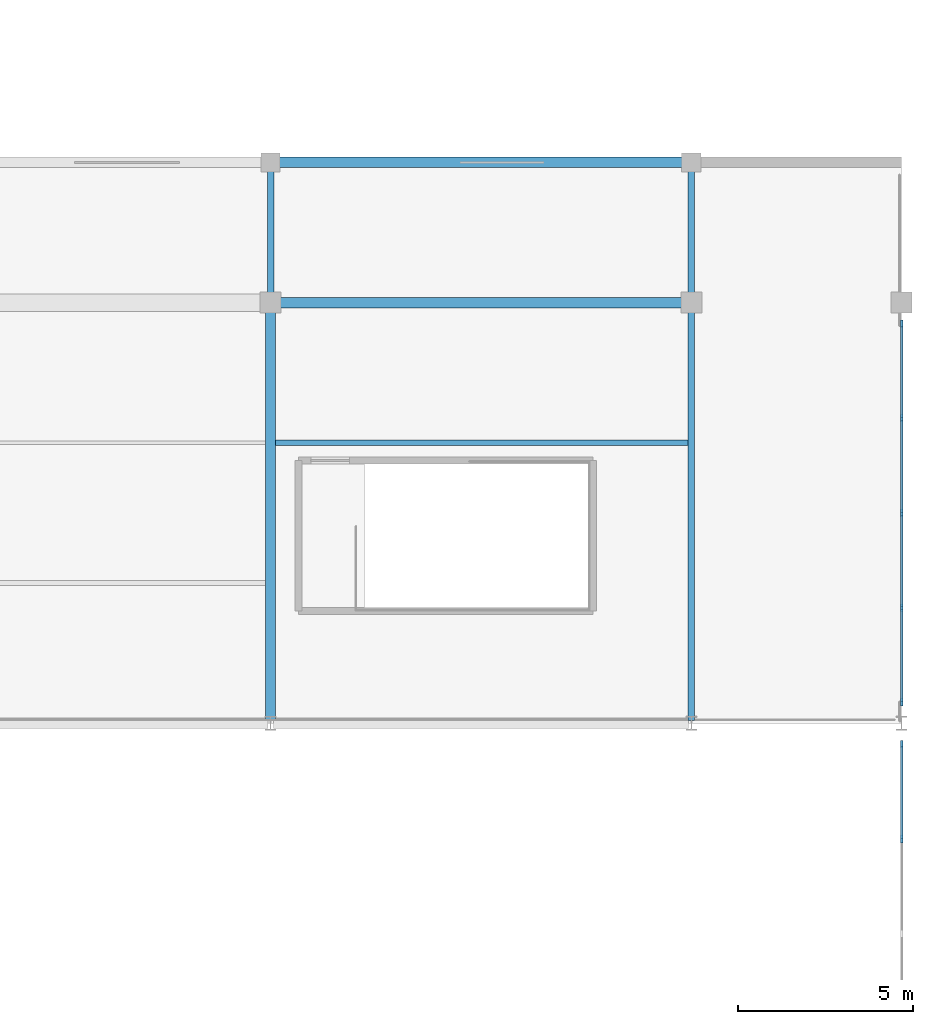
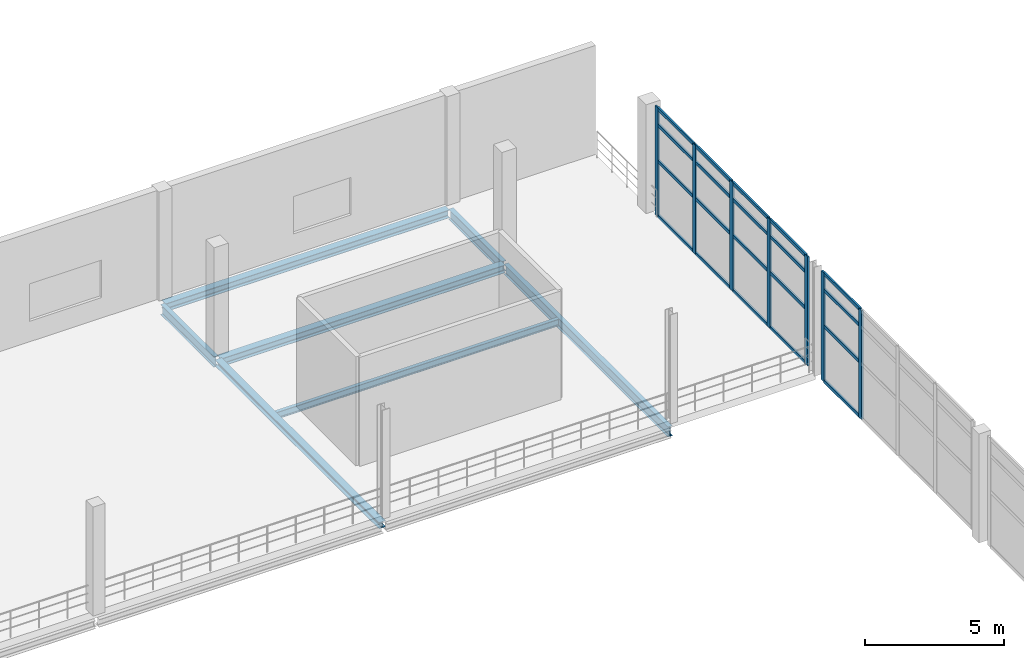
# One storey, part 25 of 52: 27 members, 7 beams, 2 elements without a shape of their own.
"""IFC4 building model written with IfcOpenShell, lengths in metres."""

from ifc_helpers import new_model, si_unit, direction, frame, origin, origin_2d, place, context, subcontext, project, spatial, rectangle, i_section, extrude, material, material_profile, profile_set, type_object, element, aggregate, save


model = new_model("IFC4")

# Units and contexts
model_context = context("Model", 3, precision=1e-05, world=origin(), true_north=direction((0.0, 1.0)))
body_context = subcontext(model_context, "Body", "Model", "MODEL_VIEW")
ifc_project = project(units=[si_unit("LENGTHUNIT", "METRE"), si_unit("AREAUNIT", "SQUARE_METRE"), si_unit("VOLUMEUNIT", "CUBIC_METRE"), si_unit("PLANEANGLEUNIT", "RADIAN"), si_unit("MASSUNIT", "GRAM", prefix="KILO"), si_unit("THERMODYNAMICTEMPERATUREUNIT", "KELVIN"), si_unit("POWERUNIT", "WATT")], contexts=[model_context])

# Site, building, storey
site_placement = place(None, origin())
site = spatial("IfcSite", under=ifc_project, at=site_placement, CompositionType="ELEMENT")
building_placement = place(site_placement, origin())
building = spatial("IfcBuilding", under=site, at=building_placement, Name="Solmara Park Aquatics Centre", CompositionType="ELEMENT")
storey_placement = place(building_placement, frame((0.0, 0.0, 9.60009765625)))
storey = spatial("IfcBuildingStorey", under=building, at=storey_placement, Name="L02", CompositionType="ELEMENT", Elevation=9.60009765625)

# Curtain wall, members
ifc_material_1 = material(Name="Anodised Aluminium Curtain Wall Framing", Category="aluminium")
curtain_wall_type = type_object("IfcCurtainWallType", Name="ARC-CW-SYS03", PredefinedType="USERDEFINED", material=ifc_material_1)
curtain_wall_1_placement = place(storey_placement, origin())
curtain_wall_1 = element("IfcCurtainWall", 1, at=curtain_wall_1_placement, inside=storey, type_object=curtain_wall_type, Name="Curtain Wall CW-079", ObjectType="CURTAIN WALL", PredefinedType="USERDEFINED")
ifc_material_2 = material(Name="Anodised Aluminium Alloy 6063-T6", Category="aluminium")
ifc_material_profile_1 = material_profile(ifc_material_2, rectangle(XDim=0.074951171875, YDim=0.219970703125, at=origin_2d()), Name="ALU MULLION 75x220")
ifc_profile_set_1 = profile_set([ifc_material_profile_1], Name="Anodised Aluminium Alloy 6063-T6")
member_type_1 = type_object("IfcMemberType", Name="ARC-CWM-75x220", PredefinedType="MULLION", material=ifc_profile_set_1)
member_1_placement = place(storey_placement, frame((162.0, 33.300048828125, 0.0), z_axis=(0.0, 0.0, 1.0), x_axis=(1.0, 0.0, 0.0)))
member_1 = element("IfcMember", 2, at=member_1_placement, type_object=member_type_1, Name="CW-079 mullion 4", PredefinedType="MULLION", context=body_context, shape_type="SweptSolid", body=[
    extrude(rectangle(XDim=0.074951171875, YDim=0.219970703125, at=origin_2d()), origin(), (0.0, 0.0, 1.0), 4.7998046875),
])
member_2_placement = place(storey_placement, frame((162.0, 36.0, 0.0), z_axis=(0.0, 0.0, 1.0), x_axis=(1.0, 0.0, 0.0)))
member_2 = element("IfcMember", 3, at=member_2_placement, type_object=member_type_1, Name="CW-079 mullion 5", PredefinedType="MULLION", context=body_context, shape_type="SweptSolid", body=[
    extrude(rectangle(XDim=0.074951171875, YDim=0.219970703125, at=origin_2d()), origin(), (0.0, 0.0, 1.0), 4.7998046875),
])

curtain_wall_2_placement = place(storey_placement, origin())
curtain_wall_2 = element("IfcCurtainWall", 4, at=curtain_wall_2_placement, inside=storey, type_object=curtain_wall_type, Name="Curtain Wall CW-082", ObjectType="CURTAIN WALL", PredefinedType="USERDEFINED")
member_3_placement = place(storey_placement, frame((162.0, 37.199951171875, 0.0), z_axis=(0.0, 0.0, 1.0), x_axis=(1.0, 0.0, 0.0)))
member_3 = element("IfcMember", 5, at=member_3_placement, type_object=member_type_1, Name="CW-082 mullion 1", PredefinedType="MULLION", context=body_context, shape_type="SweptSolid", body=[
    extrude(rectangle(XDim=0.074951171875, YDim=0.219970703125, at=origin_2d()), origin(), (0.0, 0.0, 1.0), 4.7998046875),
])
member_4_placement = place(storey_placement, frame((162.0, 39.89990234375, 0.0), z_axis=(0.0, 0.0, 1.0), x_axis=(1.0, 0.0, 0.0)))
member_4 = element("IfcMember", 6, at=member_4_placement, type_object=member_type_1, Name="CW-082 mullion 2", PredefinedType="MULLION", context=body_context, shape_type="SweptSolid", body=[
    extrude(rectangle(XDim=0.074951171875, YDim=0.219970703125, at=origin_2d()), origin(), (0.0, 0.0, 1.0), 4.7998046875),
])
member_5_placement = place(storey_placement, frame((162.0, 42.60009765625, 0.0), z_axis=(0.0, 0.0, 1.0), x_axis=(1.0, 0.0, 0.0)))
member_5 = element("IfcMember", 7, at=member_5_placement, type_object=member_type_1, Name="CW-082 mullion 3", PredefinedType="MULLION", context=body_context, shape_type="SweptSolid", body=[
    extrude(rectangle(XDim=0.074951171875, YDim=0.219970703125, at=origin_2d()), origin(), (0.0, 0.0, 1.0), 4.7998046875),
])
member_6_placement = place(storey_placement, frame((162.0, 45.300048828125, 0.0), z_axis=(0.0, 0.0, 1.0), x_axis=(1.0, 0.0, 0.0)))
member_6 = element("IfcMember", 8, at=member_6_placement, type_object=member_type_1, Name="CW-082 mullion 4", PredefinedType="MULLION", context=body_context, shape_type="SweptSolid", body=[
    extrude(rectangle(XDim=0.074951171875, YDim=0.219970703125, at=origin_2d()), origin(), (0.0, 0.0, 1.0), 4.7998046875),
])
member_7_placement = place(storey_placement, frame((162.0, 48.0, 0.0), z_axis=(0.0, 0.0, 1.0), x_axis=(1.0, 0.0, 0.0)))
member_7 = element("IfcMember", 9, at=member_7_placement, type_object=member_type_1, Name="CW-082 mullion 5", PredefinedType="MULLION", context=body_context, shape_type="SweptSolid", body=[
    extrude(rectangle(XDim=0.074951171875, YDim=0.219970703125, at=origin_2d()), origin(), (0.0, 0.0, 1.0), 4.7998046875),
])

# Member
ifc_material_profile_2 = material_profile(ifc_material_2, rectangle(XDim=0.074951171875, YDim=0.14990234375, at=origin_2d()), Name="ALU TRANSOM 75x150")
ifc_profile_set_2 = profile_set([ifc_material_profile_2], Name="Anodised Aluminium Alloy 6063-T6")
member_type_2 = type_object("IfcMemberType", Name="ARC-CWT-75x150", PredefinedType="USERDEFINED", material=ifc_profile_set_2)
member_8_placement = place(storey_placement, frame((162.0, 33.320068359375, 0.039794921875), z_axis=(0.0, 1.0, 0.0), x_axis=(-1.0, 0.0, 0.0)))
member_8 = element("IfcMember", 10, at=member_8_placement, type_object=member_type_2, Name="CW-079 transom 13", ObjectType="TRANSOM", PredefinedType="USERDEFINED", context=body_context, shape_type="SweptSolid", body=[
    extrude(rectangle(XDim=0.074951171875, YDim=0.14990234375, at=origin_2d()), origin(), (0.0, 0.0, 1.0), 2.619873046875),
])

member_9_placement = place(storey_placement, frame((162.0, 33.320068359375, 2.449951171875), z_axis=(0.0, 1.0, 0.0), x_axis=(-1.0, 0.0, 0.0)))
member_9 = element("IfcMember", 11, at=member_9_placement, type_object=member_type_2, Name="CW-079 transom 14", ObjectType="TRANSOM", PredefinedType="USERDEFINED", context=body_context, shape_type="SweptSolid", body=[
    extrude(rectangle(XDim=0.074951171875, YDim=0.14990234375, at=origin_2d()), origin(), (0.0, 0.0, 1.0), 2.619873046875),
])

member_10_placement = place(storey_placement, frame((162.0, 33.320068359375, 4.0498046875), z_axis=(0.0, 1.0, 0.0), x_axis=(-1.0, 0.0, 0.0)))
member_10 = element("IfcMember", 12, at=member_10_placement, type_object=member_type_2, Name="CW-079 transom 15", ObjectType="TRANSOM", PredefinedType="USERDEFINED", context=body_context, shape_type="SweptSolid", body=[
    extrude(rectangle(XDim=0.074951171875, YDim=0.14990234375, at=origin_2d()), origin(), (0.0, 0.0, 1.0), 2.619873046875),
])

member_11_placement = place(storey_placement, frame((162.0, 33.320068359375, 4.760009765625), z_axis=(0.0, 1.0, 0.0), x_axis=(-1.0, 0.0, 0.0)))
member_11 = element("IfcMember", 13, at=member_11_placement, type_object=member_type_2, Name="CW-079 transom 16", ObjectType="TRANSOM", PredefinedType="USERDEFINED", context=body_context, shape_type="SweptSolid", body=[
    extrude(rectangle(XDim=0.074951171875, YDim=0.14990234375, at=origin_2d()), origin(), (0.0, 0.0, 1.0), 2.619873046875),
])

aggregate(curtain_wall_1, [member_1, member_2, member_8, member_9, member_10, member_11])

member_12_placement = place(storey_placement, frame((162.0, 37.219970703125, 0.039794921875), z_axis=(0.0, 1.0, 0.0), x_axis=(-1.0, 0.0, 0.0)))
member_12 = element("IfcMember", 14, at=member_12_placement, type_object=member_type_2, Name="CW-082 transom 1", ObjectType="TRANSOM", PredefinedType="USERDEFINED", context=body_context, shape_type="SweptSolid", body=[
    extrude(rectangle(XDim=0.074951171875, YDim=0.14990234375, at=origin_2d()), origin(), (0.0, 0.0, 1.0), 2.6201171875),
])

member_13_placement = place(storey_placement, frame((162.0, 37.219970703125, 2.449951171875), z_axis=(0.0, 1.0, 0.0), x_axis=(-1.0, 0.0, 0.0)))
member_13 = element("IfcMember", 15, at=member_13_placement, type_object=member_type_2, Name="CW-082 transom 2", ObjectType="TRANSOM", PredefinedType="USERDEFINED", context=body_context, shape_type="SweptSolid", body=[
    extrude(rectangle(XDim=0.074951171875, YDim=0.14990234375, at=origin_2d()), origin(), (0.0, 0.0, 1.0), 2.6201171875),
])

member_14_placement = place(storey_placement, frame((162.0, 37.219970703125, 4.0498046875), z_axis=(0.0, 1.0, 0.0), x_axis=(-1.0, 0.0, 0.0)))
member_14 = element("IfcMember", 16, at=member_14_placement, type_object=member_type_2, Name="CW-082 transom 3", ObjectType="TRANSOM", PredefinedType="USERDEFINED", context=body_context, shape_type="SweptSolid", body=[
    extrude(rectangle(XDim=0.074951171875, YDim=0.14990234375, at=origin_2d()), origin(), (0.0, 0.0, 1.0), 2.6201171875),
])

member_15_placement = place(storey_placement, frame((162.0, 37.219970703125, 4.760009765625), z_axis=(0.0, 1.0, 0.0), x_axis=(-1.0, 0.0, 0.0)))
member_15 = element("IfcMember", 17, at=member_15_placement, type_object=member_type_2, Name="CW-082 transom 4", ObjectType="TRANSOM", PredefinedType="USERDEFINED", context=body_context, shape_type="SweptSolid", body=[
    extrude(rectangle(XDim=0.074951171875, YDim=0.14990234375, at=origin_2d()), origin(), (0.0, 0.0, 1.0), 2.6201171875),
])

member_16_placement = place(storey_placement, frame((162.0, 39.919921875, 0.039794921875), z_axis=(0.0, 1.0, 0.0), x_axis=(-1.0, 0.0, 0.0)))
member_16 = element("IfcMember", 18, at=member_16_placement, type_object=member_type_2, Name="CW-082 transom 5", ObjectType="TRANSOM", PredefinedType="USERDEFINED", context=body_context, shape_type="SweptSolid", body=[
    extrude(rectangle(XDim=0.074951171875, YDim=0.14990234375, at=origin_2d()), origin(), (0.0, 0.0, 1.0), 2.6201171875),
])

member_17_placement = place(storey_placement, frame((162.0, 39.919921875, 2.449951171875), z_axis=(0.0, 1.0, 0.0), x_axis=(-1.0, 0.0, 0.0)))
member_17 = element("IfcMember", 19, at=member_17_placement, type_object=member_type_2, Name="CW-082 transom 6", ObjectType="TRANSOM", PredefinedType="USERDEFINED", context=body_context, shape_type="SweptSolid", body=[
    extrude(rectangle(XDim=0.074951171875, YDim=0.14990234375, at=origin_2d()), origin(), (0.0, 0.0, 1.0), 2.6201171875),
])

member_18_placement = place(storey_placement, frame((162.0, 39.919921875, 4.0498046875), z_axis=(0.0, 1.0, 0.0), x_axis=(-1.0, 0.0, 0.0)))
member_18 = element("IfcMember", 20, at=member_18_placement, type_object=member_type_2, Name="CW-082 transom 7", ObjectType="TRANSOM", PredefinedType="USERDEFINED", context=body_context, shape_type="SweptSolid", body=[
    extrude(rectangle(XDim=0.074951171875, YDim=0.14990234375, at=origin_2d()), origin(), (0.0, 0.0, 1.0), 2.6201171875),
])

member_19_placement = place(storey_placement, frame((162.0, 39.919921875, 4.760009765625), z_axis=(0.0, 1.0, 0.0), x_axis=(-1.0, 0.0, 0.0)))
member_19 = element("IfcMember", 21, at=member_19_placement, type_object=member_type_2, Name="CW-082 transom 8", ObjectType="TRANSOM", PredefinedType="USERDEFINED", context=body_context, shape_type="SweptSolid", body=[
    extrude(rectangle(XDim=0.074951171875, YDim=0.14990234375, at=origin_2d()), origin(), (0.0, 0.0, 1.0), 2.6201171875),
])

member_20_placement = place(storey_placement, frame((162.0, 42.6201171875, 0.039794921875), z_axis=(0.0, 1.0, 0.0), x_axis=(-1.0, 0.0, 0.0)))
member_20 = element("IfcMember", 22, at=member_20_placement, type_object=member_type_2, Name="CW-082 transom 9", ObjectType="TRANSOM", PredefinedType="USERDEFINED", context=body_context, shape_type="SweptSolid", body=[
    extrude(rectangle(XDim=0.074951171875, YDim=0.14990234375, at=origin_2d()), origin(), (0.0, 0.0, 1.0), 2.619873046875),
])

member_21_placement = place(storey_placement, frame((162.0, 42.6201171875, 2.449951171875), z_axis=(0.0, 1.0, 0.0), x_axis=(-1.0, 0.0, 0.0)))
member_21 = element("IfcMember", 23, at=member_21_placement, type_object=member_type_2, Name="CW-082 transom 10", ObjectType="TRANSOM", PredefinedType="USERDEFINED", context=body_context, shape_type="SweptSolid", body=[
    extrude(rectangle(XDim=0.074951171875, YDim=0.14990234375, at=origin_2d()), origin(), (0.0, 0.0, 1.0), 2.619873046875),
])

member_22_placement = place(storey_placement, frame((162.0, 42.6201171875, 4.0498046875), z_axis=(0.0, 1.0, 0.0), x_axis=(-1.0, 0.0, 0.0)))
member_22 = element("IfcMember", 24, at=member_22_placement, type_object=member_type_2, Name="CW-082 transom 11", ObjectType="TRANSOM", PredefinedType="USERDEFINED", context=body_context, shape_type="SweptSolid", body=[
    extrude(rectangle(XDim=0.074951171875, YDim=0.14990234375, at=origin_2d()), origin(), (0.0, 0.0, 1.0), 2.619873046875),
])

member_23_placement = place(storey_placement, frame((162.0, 42.6201171875, 4.760009765625), z_axis=(0.0, 1.0, 0.0), x_axis=(-1.0, 0.0, 0.0)))
member_23 = element("IfcMember", 25, at=member_23_placement, type_object=member_type_2, Name="CW-082 transom 12", ObjectType="TRANSOM", PredefinedType="USERDEFINED", context=body_context, shape_type="SweptSolid", body=[
    extrude(rectangle(XDim=0.074951171875, YDim=0.14990234375, at=origin_2d()), origin(), (0.0, 0.0, 1.0), 2.619873046875),
])

member_24_placement = place(storey_placement, frame((162.0, 45.320068359375, 0.039794921875), z_axis=(0.0, 1.0, 0.0), x_axis=(-1.0, 0.0, 0.0)))
member_24 = element("IfcMember", 26, at=member_24_placement, type_object=member_type_2, Name="CW-082 transom 13", ObjectType="TRANSOM", PredefinedType="USERDEFINED", context=body_context, shape_type="SweptSolid", body=[
    extrude(rectangle(XDim=0.074951171875, YDim=0.14990234375, at=origin_2d()), origin(), (0.0, 0.0, 1.0), 2.619873046875),
])

member_25_placement = place(storey_placement, frame((162.0, 45.320068359375, 2.449951171875), z_axis=(0.0, 1.0, 0.0), x_axis=(-1.0, 0.0, 0.0)))
member_25 = element("IfcMember", 27, at=member_25_placement, type_object=member_type_2, Name="CW-082 transom 14", ObjectType="TRANSOM", PredefinedType="USERDEFINED", context=body_context, shape_type="SweptSolid", body=[
    extrude(rectangle(XDim=0.074951171875, YDim=0.14990234375, at=origin_2d()), origin(), (0.0, 0.0, 1.0), 2.619873046875),
])

member_26_placement = place(storey_placement, frame((162.0, 45.320068359375, 4.0498046875), z_axis=(0.0, 1.0, 0.0), x_axis=(-1.0, 0.0, 0.0)))
member_26 = element("IfcMember", 28, at=member_26_placement, type_object=member_type_2, Name="CW-082 transom 15", ObjectType="TRANSOM", PredefinedType="USERDEFINED", context=body_context, shape_type="SweptSolid", body=[
    extrude(rectangle(XDim=0.074951171875, YDim=0.14990234375, at=origin_2d()), origin(), (0.0, 0.0, 1.0), 2.619873046875),
])

member_27_placement = place(storey_placement, frame((162.0, 45.320068359375, 4.760009765625), z_axis=(0.0, 1.0, 0.0), x_axis=(-1.0, 0.0, 0.0)))
member_27 = element("IfcMember", 29, at=member_27_placement, type_object=member_type_2, Name="CW-082 transom 16", ObjectType="TRANSOM", PredefinedType="USERDEFINED", context=body_context, shape_type="SweptSolid", body=[
    extrude(rectangle(XDim=0.074951171875, YDim=0.14990234375, at=origin_2d()), origin(), (0.0, 0.0, 1.0), 2.619873046875),
])

aggregate(curtain_wall_2, [member_3, member_4, member_5, member_6, member_7, member_12, member_13, member_14, member_15, member_16, member_17, member_18, member_19, member_20, member_21, member_22, member_23, member_24, member_25, member_26, member_27])

# Beams
ifc_material_3 = material(Name="Structural Steel S355", Category="steel")
ifc_material_profile_3 = material_profile(ifc_material_3, i_section(OverallWidth=0.280029296875, OverallDepth=0.27001953125, WebThickness=0.008056640625, FlangeThickness=0.012939453125, FilletRadius=0.02392578125, at=origin_2d()), Name="HEA 280")
ifc_profile_set_3 = profile_set([ifc_material_profile_3], Name="Structural Steel S355")
beam_type_1 = type_object("IfcBeamType", Name="STR-BM-HEA280", PredefinedType="BEAM", material=ifc_profile_set_3)
beam_1_placement = place(storey_placement, frame((144.0, 36.679931640625, -0.455078125), z_axis=(0.0, 1.0, 0.0), x_axis=(-1.0, 0.0, 0.0)))
element("IfcBeam", 30, at=beam_1_placement, inside=storey, type_object=beam_type_1, Name="Girder BM-L02-0378", PredefinedType="BEAM", context=body_context, shape_type="SweptSolid", body=[
    extrude(i_section(OverallWidth=0.280029296875, OverallDepth=0.27001953125, WebThickness=0.008056640625, FlangeThickness=0.012939453125, FilletRadius=0.02392578125, at=origin_2d()), origin(), (0.0, 0.0, 1.0), 11.840087890625),
])
ifc_material_profile_4 = material_profile(ifc_material_3, i_section(OverallWidth=0.300048828125, OverallDepth=0.35009765625, WebThickness=0.010009765625, FlangeThickness=0.017578125, FilletRadius=0.027099609375, at=origin_2d()), Name="HEA 360")
ifc_profile_set_4 = profile_set([ifc_material_profile_4], Name="Structural Steel S355")
beam_type_2 = type_object("IfcBeamType", Name="STR-BM-HEA360", PredefinedType="BEAM", material=ifc_profile_set_4)
for number, where, z_axis, x_axis, name in (
    (31, (144.080078125, 48.60009765625, -0.4951171875), (1.0, 0.0, 0.0), (0.0, 1.0, 0.0), "Girder BM-L02-0367"),
    (32, (144.080078125, 52.60009765625, -0.4951171875), (1.0, 0.0, 0.0), (0.0, 1.0, 0.0), "Girder BM-L02-0371"),
):
    element("IfcBeam", number, at=place(storey_placement, frame(where, z_axis=z_axis, x_axis=x_axis)), inside=storey, type_object=beam_type_2, Name=name, PredefinedType="BEAM", context=body_context, shape_type="SweptSolid", body=[
        extrude(i_section(OverallWidth=0.300048828125, OverallDepth=0.35009765625, WebThickness=0.010009765625, FlangeThickness=0.017578125, FilletRadius=0.027099609375, at=origin_2d()), origin(), (0.0, 0.0, 1.0), 11.83984375),
    ])
ifc_material_profile_5 = material_profile(ifc_material_3, i_section(OverallWidth=0.18994140625, OverallDepth=0.449951171875, WebThickness=0.009521484375, FlangeThickness=0.0146484375, FilletRadius=0.02099609375, at=origin_2d()), Name="IPE 450")
ifc_profile_set_5 = profile_set([ifc_material_profile_5], Name="Structural Steel S355")
beam_type_3 = type_object("IfcBeamType", Name="STR-BM-IPE450", PredefinedType="BEAM", material=ifc_profile_set_5)
beam_2_placement = place(storey_placement, frame((144.0, 48.679931640625, -0.545166015625), z_axis=(0.0, 1.0, 0.0), x_axis=(-1.0, 0.0, 0.0)))
element("IfcBeam", 33, at=beam_2_placement, inside=storey, type_object=beam_type_3, Name="Girder BM-L02-0379", PredefinedType="BEAM", context=body_context, shape_type="SweptSolid", body=[
    extrude(i_section(OverallWidth=0.18994140625, OverallDepth=0.449951171875, WebThickness=0.009521484375, FlangeThickness=0.0146484375, FilletRadius=0.02099609375, at=origin_2d()), origin(), (0.0, 0.0, 1.0), 3.840087890625),
])
beam_3_placement = place(storey_placement, frame((156.0, 36.679931640625, -0.545166015625), z_axis=(0.0, 1.0, 0.0), x_axis=(-1.0, 0.0, 0.0)))
element("IfcBeam", 34, at=beam_3_placement, inside=storey, type_object=beam_type_3, Name="Girder BM-L02-0380", PredefinedType="BEAM", context=body_context, shape_type="SweptSolid", body=[
    extrude(i_section(OverallWidth=0.18994140625, OverallDepth=0.449951171875, WebThickness=0.009521484375, FlangeThickness=0.0146484375, FilletRadius=0.02099609375, at=origin_2d()), origin(), (0.0, 0.0, 1.0), 11.840087890625),
])
beam_4_placement = place(storey_placement, frame((156.0, 48.679931640625, -0.545166015625), z_axis=(0.0, 1.0, 0.0), x_axis=(-1.0, 0.0, 0.0)))
element("IfcBeam", 35, at=beam_4_placement, inside=storey, type_object=beam_type_3, Name="Girder BM-L02-0381", PredefinedType="BEAM", context=body_context, shape_type="SweptSolid", body=[
    extrude(i_section(OverallWidth=0.18994140625, OverallDepth=0.449951171875, WebThickness=0.009521484375, FlangeThickness=0.0146484375, FilletRadius=0.02099609375, at=origin_2d()), origin(), (0.0, 0.0, 1.0), 3.840087890625),
])
ifc_material_profile_6 = material_profile(ifc_material_3, i_section(OverallWidth=0.14990234375, OverallDepth=0.300048828125, WebThickness=0.007080078125, FlangeThickness=0.0107421875, FilletRadius=0.014892578125, at=origin_2d()), Name="IPE 300")
ifc_profile_set_6 = profile_set([ifc_material_profile_6], Name="Structural Steel S355")
beam_type_4 = type_object("IfcBeamType", Name="STR-JST-IPE300", PredefinedType="JOIST", material=ifc_profile_set_6)
beam_5_placement = place(storey_placement, frame((144.139892578125, 44.60009765625, -0.47021484375), z_axis=(1.0, 0.0, 0.0), x_axis=(0.0, 1.0, 0.0)))
element("IfcBeam", 36, at=beam_5_placement, inside=storey, type_object=beam_type_4, Name="Floor Joist JST-L02-0215", PredefinedType="JOIST", context=body_context, shape_type="SweptSolid", body=[
    extrude(i_section(OverallWidth=0.14990234375, OverallDepth=0.300048828125, WebThickness=0.007080078125, FlangeThickness=0.0107421875, FilletRadius=0.014892578125, at=origin_2d()), origin(), (0.0, 0.0, 1.0), 11.76513671875),
])

save(model, "model.ifc")
